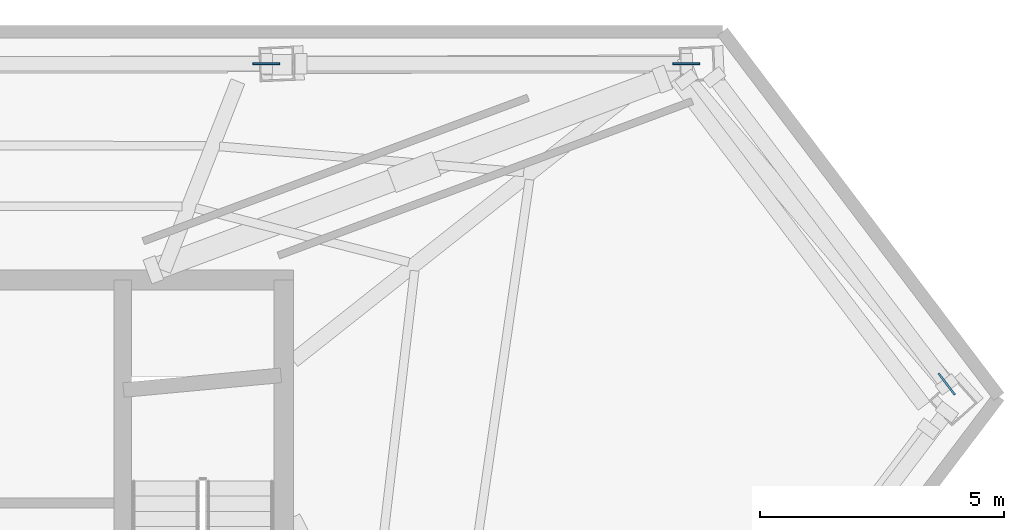
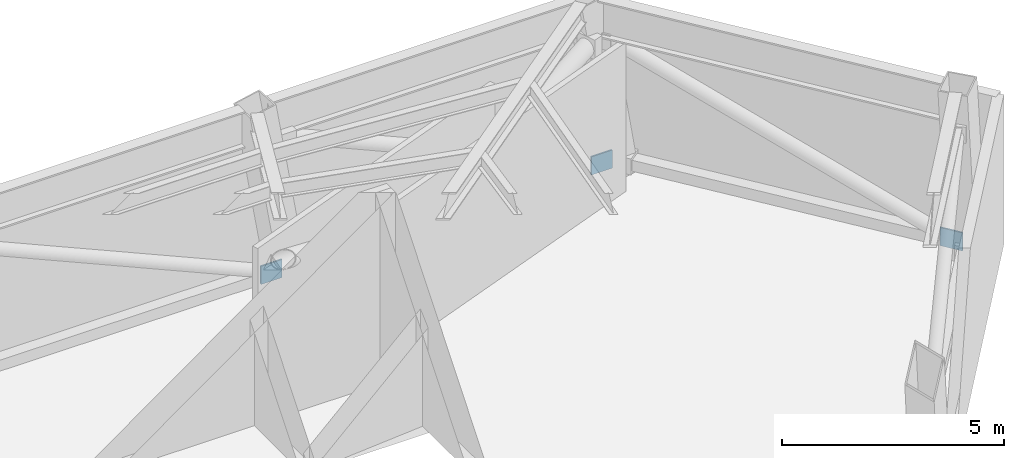
# One storey, part 4 of 10: 3 plates.
"""IFC4 building model written with IfcOpenShell, lengths in metres."""

from ifc_helpers import new_model, si_unit, direction, frame, origin, origin_2d, place, context, subcontext, project, spatial, rectangle, extrude, material, layer, layer_set, type_object, element, save


model = new_model("IFC4")

# Units and contexts
model_context = context("Model", 3, precision=1e-05, world=origin(), true_north=direction((0.0, 1.0)))
body_context = subcontext(model_context, "Body", "Model", "MODEL_VIEW")
ifc_project = project(units=[si_unit("LENGTHUNIT", "METRE"), si_unit("AREAUNIT", "SQUARE_METRE"), si_unit("VOLUMEUNIT", "CUBIC_METRE"), si_unit("PLANEANGLEUNIT", "RADIAN"), si_unit("MASSUNIT", "GRAM", prefix="KILO")], contexts=[model_context])

# Site, building, storey
site_placement = place(None, origin())
site = spatial("IfcSite", under=ifc_project, at=site_placement, CompositionType="ELEMENT")
building_placement = place(site_placement, origin())
building = spatial("IfcBuilding", under=site, at=building_placement, Name="Zarrinselat Tower", CompositionType="ELEMENT")
storey_placement = place(building_placement, frame((0.0, 0.0, 194.47998046875)))
storey = spatial("IfcBuildingStorey", under=building, at=storey_placement, Name="L48", CompositionType="ELEMENT", Elevation=194.47998046875)

# Plates
ifc_material = material(Name="Steel S460M", Category="steel")
ifc_layer = layer(ifc_material, 0.0400390625)
ifc_layer_set = layer_set([ifc_layer], Name="Steel S460M")
plate_type = type_object("IfcPlateType", Name="PLT-GUSSET-40", PredefinedType="USERDEFINED", material=ifc_layer_set)
for number, where, z_axis, x_axis, name in (
    (1, (56.489501953125, 47.875244140625, 0.10009765625), (0.0, 0.0, 1.0), (-1.0, 0.0, 0.0), "L48 Belt Truss Node Gusset Plate 1"),
    (2, (47.897216796875, 47.875244140625, 0.10009765625), (0.0, 0.0, 1.0), (-1.0, 0.0, 0.0), "L48 Belt Truss Node Gusset Plate 2"),
    (3, (61.81591796875, 41.322021484375, 0.10009765625), (0.0, 0.0, 1.0), (-0.603845299516, 0.797101533214, 0.0), "L48 Belt Truss Node Gusset Plate 15"),
):
    element("IfcPlate", number, at=place(storey_placement, frame(where, z_axis=z_axis, x_axis=x_axis)), inside=storey, type_object=plate_type, Name=name, ObjectType="GUSSET_PLATE", PredefinedType="USERDEFINED", context=body_context, shape_type="SweptSolid", body=[
        extrude(rectangle(XDim=0.550048828125, YDim=0.0400390625, at=origin_2d()), origin(), (0.0, 0.0, 1.0), 0.5),
    ])

save(model, "model.ifc")
